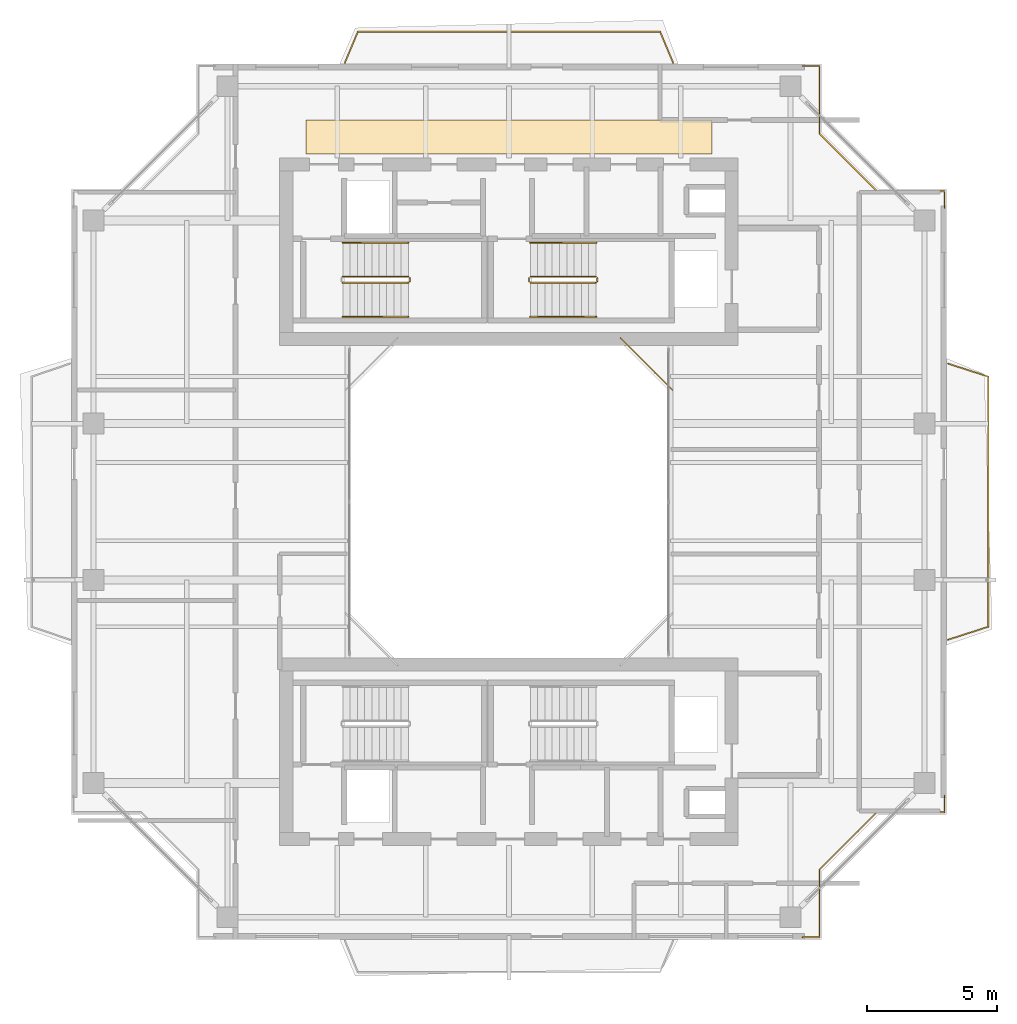
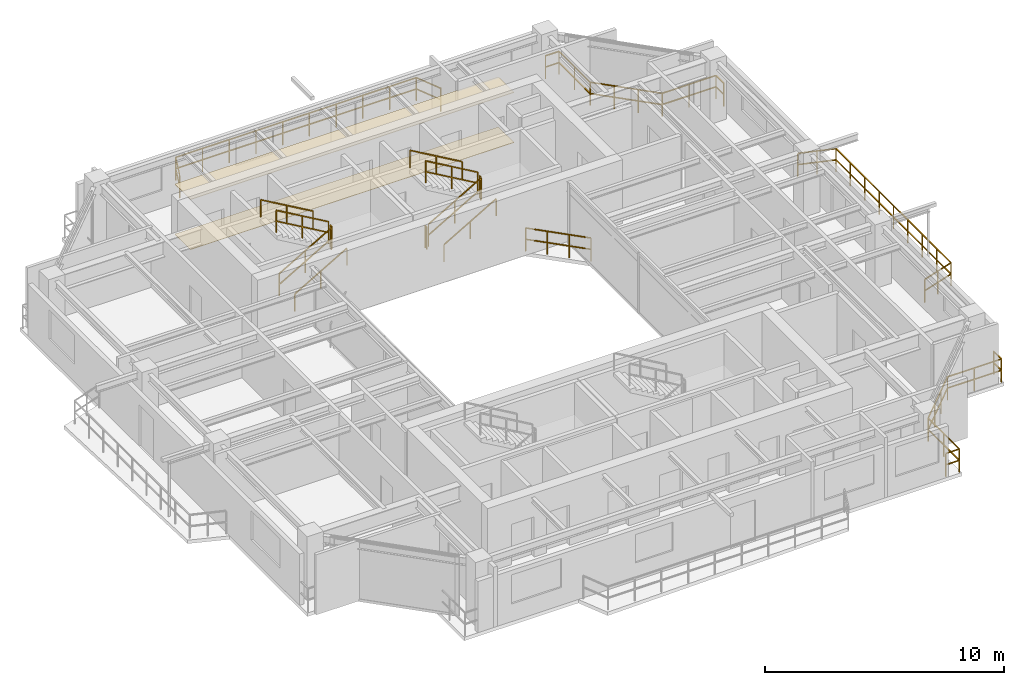
# One storey, part 15 of 15: 16 railings, 2 coverings.
"""IFC4 building model written with IfcOpenShell, lengths in metres."""

from ifc_helpers import new_model, si_unit, direction, frame, origin, origin_2d, place, context, subcontext, project, spatial, polyline, rectangle, outline, extrude, material, layer, layer_set, type_object, element, save


model = new_model("IFC4")

# Units and contexts
model_context = context("Model", 3, precision=1e-05, world=origin(), true_north=direction((0.0, 1.0)))
body_context = subcontext(model_context, "Body", "Model", "MODEL_VIEW")
ifc_project = project(units=[si_unit("LENGTHUNIT", "METRE"), si_unit("AREAUNIT", "SQUARE_METRE"), si_unit("VOLUMEUNIT", "CUBIC_METRE"), si_unit("PLANEANGLEUNIT", "RADIAN"), si_unit("MASSUNIT", "GRAM", prefix="KILO"), si_unit("THERMODYNAMICTEMPERATUREUNIT", "KELVIN"), si_unit("POWERUNIT", "WATT")], contexts=[model_context])

# Site, building, storey
site_placement = place(None, origin())
site = spatial("IfcSite", under=ifc_project, at=site_placement, CompositionType="ELEMENT")
building_placement = place(site_placement, origin())
building = spatial("IfcBuilding", under=site, at=building_placement, Name="Qiaomeng Ring Towers", CompositionType="ELEMENT")
storey_placement = place(building_placement, frame((0.0, 0.0, 219.75)))
storey = spatial("IfcBuildingStorey", under=building, at=storey_placement, Name="L64", CompositionType="ELEMENT", Elevation=219.75)

# Coverings
ifc_material_1 = material(Name="Mineral fibre acoustic ceiling tile", Category="gypsum")
ifc_layer_1 = layer(ifc_material_1, 0.02490234375, Name="Mineral fibre acoustic ceiling tile")
ifc_layer_set_1 = layer_set([ifc_layer_1], Name="Mineral fibre acoustic ceiling tile")
covering_type_1 = type_object("IfcCoveringType", Name="ARC-COV-CEIL1", PredefinedType="CEILING", material=ifc_layer_set_1)
covering_1_placement = place(storey_placement, frame((0.0, 0.0, 2.550048828125)))
element("IfcCovering", 1, at=covering_1_placement, inside=storey, type_object=covering_type_1, Name="L64 Corridor Acoustic Ceiling", PredefinedType="CEILING", context=body_context, shape_type="SweptSolid", body=[
    extrude(outline(polyline([(11.199951171875, 36.35009765625), (11.199951171875, 37.64990234375), (26.800048828125, 37.64990234375), (26.800048828125, 36.35009765625), (11.199951171875, 36.35009765625)])), origin(), (0.0, 0.0, 1.0), 0.02490234375),
])
ifc_material_2 = material(Name="Vitrified porcelain floor tile", Category="ceramic")
ifc_layer_2 = layer(ifc_material_2, 0.02001953125, Name="Vitrified porcelain floor tile")
ifc_layer_set_2 = layer_set([ifc_layer_2], Name="Vitrified porcelain floor tile")
covering_type_2 = type_object("IfcCoveringType", Name="ARC-COV-FLR1", PredefinedType="FLOORING", material=ifc_layer_set_2)
covering_2_placement = place(storey_placement, origin())
element("IfcCovering", 2, at=covering_2_placement, inside=storey, type_object=covering_type_2, Name="L64 Corridor Stone Flooring", PredefinedType="FLOORING", context=body_context, shape_type="SweptSolid", body=[
    extrude(outline(polyline([(11.199951171875, 36.35009765625), (11.199951171875, 37.64990234375), (26.800048828125, 37.64990234375), (26.800048828125, 36.35009765625), (11.199951171875, 36.35009765625)])), origin(), (0.0, 0.0, 1.0), 0.02001953125),
])

# Railings
ifc_material_3 = material(Name="Low-E pale-green laminated safety glass", Category="glass")
railing_type_1 = type_object("IfcRailingType", Name="ARC-RL-BAL1", PredefinedType="BALUSTRADE", material=ifc_material_3)
railing_1_placement = place(storey_placement, frame((25.280029296875, 27.280029296875, 0.0)))
element("IfcRailing", 3, at=railing_1_placement, inside=storey, type_object=railing_type_1, Name="L64 Balustrade ARC-BAL-WELL1-L64-2", PredefinedType="BALUSTRADE", context=body_context, shape_type="SweptSolid", body=[
    extrude(rectangle(XDim=0.048095703125, YDim=0.048095703125, at=origin_2d()), frame((0.0, 0.0, 1.17578125), z_axis=(-0.707106781187, 0.707106781187, 0.0), x_axis=(-0.707106781187, -0.707106781187, 0.0)), (0.0, 0.0, 1.0), 2.828369140625),
    extrude(rectangle(XDim=0.048095703125, YDim=0.048095703125, at=origin_2d()), frame((0.0, 0.0, 0.60009765625), z_axis=(-0.707106781187, 0.707106781187, 0.0), x_axis=(-0.707106781187, -0.707106781187, 0.0)), (0.0, 0.0, 1.0), 2.828369140625),
    extrude(rectangle(XDim=0.0419921875, YDim=0.0419921875, at=origin_2d()), origin(), (0.0, 0.0, 1.0), 1.15185546875),
    extrude(rectangle(XDim=0.0419921875, YDim=0.0419921875, at=origin_2d()), frame((-0.666748046875, 0.666748046875, 0.0)), (0.0, 0.0, 1.0), 1.15185546875),
    extrude(rectangle(XDim=0.0419921875, YDim=0.0419921875, at=origin_2d()), frame((-1.333251953125, 1.333251953125, 0.0)), (0.0, 0.0, 1.0), 1.15185546875),
    extrude(rectangle(XDim=0.0419921875, YDim=0.0419921875, at=origin_2d()), frame((-2.0, 2.0, 0.0)), (0.0, 0.0, 1.0), 1.15185546875),
])
railing_2_placement = place(storey_placement, frame((30.27001953125, 6.280029296875, 0.0)))
element("IfcRailing", 4, at=railing_2_placement, inside=storey, type_object=railing_type_1, Name="L64 Balustrade ARC-BAL-NOTCH1-L64-SE", PredefinedType="BALUSTRADE", context=body_context, shape_type="SweptSolid", body=[
    extrude(rectangle(XDim=0.048095703125, YDim=0.048095703125, at=origin_2d()), frame((0.0, 0.0, 1.17578125), z_axis=(1.0, 0.0, 0.0), x_axis=(0.0, 1.0, 0.0)), (0.0, 0.0, 1.0), 0.64990234375),
    extrude(rectangle(XDim=0.048095703125, YDim=0.048095703125, at=origin_2d()), frame((0.0, 0.0, 0.60009765625), z_axis=(1.0, 0.0, 0.0), x_axis=(0.0, 1.0, 0.0)), (0.0, 0.0, 1.0), 0.64990234375),
    extrude(rectangle(XDim=0.048095703125, YDim=0.048095703125, at=origin_2d()), frame((0.64990234375, 0.0, 1.17578125), z_axis=(0.0, 1.0, 0.0), x_axis=(-1.0, 0.0, 0.0)), (0.0, 0.0, 1.0), 2.599853515625),
    extrude(rectangle(XDim=0.048095703125, YDim=0.048095703125, at=origin_2d()), frame((0.64990234375, 0.0, 0.60009765625), z_axis=(0.0, 1.0, 0.0), x_axis=(-1.0, 0.0, 0.0)), (0.0, 0.0, 1.0), 2.599853515625),
    extrude(rectangle(XDim=0.048095703125, YDim=0.048095703125, at=origin_2d()), frame((0.64990234375, 2.599853515625, 1.17578125), z_axis=(0.707106781187, 0.707106781187, 0.0), x_axis=(-0.707106781187, 0.707106781187, 0.0)), (0.0, 0.0, 1.0), 3.111572265625),
    extrude(rectangle(XDim=0.048095703125, YDim=0.048095703125, at=origin_2d()), frame((0.64990234375, 2.599853515625, 0.60009765625), z_axis=(0.707106781187, 0.707106781187, 0.0), x_axis=(-0.707106781187, 0.707106781187, 0.0)), (0.0, 0.0, 1.0), 3.111572265625),
    extrude(rectangle(XDim=0.048095703125, YDim=0.048095703125, at=origin_2d()), frame((2.85009765625, 4.800048828125, 1.17578125), z_axis=(1.0, 0.0, 0.0), x_axis=(0.0, 1.0, 0.0)), (0.0, 0.0, 1.0), 2.599853515625),
    extrude(rectangle(XDim=0.048095703125, YDim=0.048095703125, at=origin_2d()), frame((2.85009765625, 4.800048828125, 0.60009765625), z_axis=(1.0, 0.0, 0.0), x_axis=(0.0, 1.0, 0.0)), (0.0, 0.0, 1.0), 2.599853515625),
    extrude(rectangle(XDim=0.048095703125, YDim=0.048095703125, at=origin_2d()), frame((5.449951171875, 4.800048828125, 1.17578125), z_axis=(0.0, 1.0, 0.0), x_axis=(-1.0, 0.0, 0.0)), (0.0, 0.0, 1.0), 0.64990234375),
    extrude(rectangle(XDim=0.048095703125, YDim=0.048095703125, at=origin_2d()), frame((5.449951171875, 4.800048828125, 0.60009765625), z_axis=(0.0, 1.0, 0.0), x_axis=(-1.0, 0.0, 0.0)), (0.0, 0.0, 1.0), 0.64990234375),
    extrude(rectangle(XDim=0.0419921875, YDim=0.0419921875, at=origin_2d()), origin(), (0.0, 0.0, 1.0), 1.15185546875),
    extrude(rectangle(XDim=0.0419921875, YDim=0.0419921875, at=origin_2d()), frame((0.64990234375, 0.0, 0.0)), (0.0, 0.0, 1.0), 1.15185546875),
    extrude(rectangle(XDim=0.0419921875, YDim=0.0419921875, at=origin_2d()), frame((0.64990234375, 1.2998046875, 0.0)), (0.0, 0.0, 1.0), 1.15185546875),
    extrude(rectangle(XDim=0.0419921875, YDim=0.0419921875, at=origin_2d()), frame((0.64990234375, 2.599853515625, 0.0)), (0.0, 0.0, 1.0), 1.15185546875),
    extrude(rectangle(XDim=0.0419921875, YDim=0.0419921875, at=origin_2d()), frame((1.38330078125, 3.333251953125, 0.0)), (0.0, 0.0, 1.0), 1.15185546875),
    extrude(rectangle(XDim=0.0419921875, YDim=0.0419921875, at=origin_2d()), frame((2.11669921875, 4.066650390625, 0.0)), (0.0, 0.0, 1.0), 1.15185546875),
    extrude(rectangle(XDim=0.0419921875, YDim=0.0419921875, at=origin_2d()), frame((2.85009765625, 4.800048828125, 0.0)), (0.0, 0.0, 1.0), 1.15185546875),
    extrude(rectangle(XDim=0.0419921875, YDim=0.0419921875, at=origin_2d()), frame((4.14990234375, 4.800048828125, 0.0)), (0.0, 0.0, 1.0), 1.15185546875),
    extrude(rectangle(XDim=0.0419921875, YDim=0.0419921875, at=origin_2d()), frame((5.449951171875, 4.800048828125, 0.0)), (0.0, 0.0, 1.0), 1.15185546875),
    extrude(rectangle(XDim=0.0419921875, YDim=0.0419921875, at=origin_2d()), frame((5.449951171875, 5.449951171875, 0.0)), (0.0, 0.0, 1.0), 1.15185546875),
])
railing_3_placement = place(storey_placement, frame((35.719970703125, 34.27001953125, 0.0)))
element("IfcRailing", 5, at=railing_3_placement, inside=storey, type_object=railing_type_1, Name="L64 Balustrade ARC-BAL-NOTCH1-L64-NE", PredefinedType="BALUSTRADE", context=body_context, shape_type="SweptSolid", body=[
    extrude(rectangle(XDim=0.048095703125, YDim=0.048095703125, at=origin_2d()), frame((0.0, 0.0, 1.17578125), z_axis=(0.0, 1.0, 0.0), x_axis=(-1.0, 0.0, 0.0)), (0.0, 0.0, 1.0), 0.64990234375),
    extrude(rectangle(XDim=0.048095703125, YDim=0.048095703125, at=origin_2d()), frame((0.0, 0.0, 0.60009765625), z_axis=(0.0, 1.0, 0.0), x_axis=(-1.0, 0.0, 0.0)), (0.0, 0.0, 1.0), 0.64990234375),
    extrude(rectangle(XDim=0.048095703125, YDim=0.048095703125, at=origin_2d()), frame((0.0, 0.64990234375, 1.17578125), z_axis=(-1.0, 0.0, 0.0), x_axis=(0.0, -1.0, 0.0)), (0.0, 0.0, 1.0), 2.599853515625),
    extrude(rectangle(XDim=0.048095703125, YDim=0.048095703125, at=origin_2d()), frame((0.0, 0.64990234375, 0.60009765625), z_axis=(-1.0, 0.0, 0.0), x_axis=(0.0, -1.0, 0.0)), (0.0, 0.0, 1.0), 2.599853515625),
    extrude(rectangle(XDim=0.048095703125, YDim=0.048095703125, at=origin_2d()), frame((-2.599853515625, 0.64990234375, 1.17578125), z_axis=(-0.707106781187, 0.707106781187, 0.0), x_axis=(-0.707106781187, -0.707106781187, 0.0)), (0.0, 0.0, 1.0), 3.111572265625),
    extrude(rectangle(XDim=0.048095703125, YDim=0.048095703125, at=origin_2d()), frame((-2.599853515625, 0.64990234375, 0.60009765625), z_axis=(-0.707106781187, 0.707106781187, 0.0), x_axis=(-0.707106781187, -0.707106781187, 0.0)), (0.0, 0.0, 1.0), 3.111572265625),
    extrude(rectangle(XDim=0.048095703125, YDim=0.048095703125, at=origin_2d()), frame((-4.800048828125, 2.85009765625, 1.17578125), z_axis=(0.0, 1.0, 0.0), x_axis=(-1.0, 0.0, 0.0)), (0.0, 0.0, 1.0), 2.599853515625),
    extrude(rectangle(XDim=0.048095703125, YDim=0.048095703125, at=origin_2d()), frame((-4.800048828125, 2.85009765625, 0.60009765625), z_axis=(0.0, 1.0, 0.0), x_axis=(-1.0, 0.0, 0.0)), (0.0, 0.0, 1.0), 2.599853515625),
    extrude(rectangle(XDim=0.048095703125, YDim=0.048095703125, at=origin_2d()), frame((-4.800048828125, 5.449951171875, 1.17578125), z_axis=(-1.0, 0.0, 0.0), x_axis=(0.0, -1.0, 0.0)), (0.0, 0.0, 1.0), 0.64990234375),
    extrude(rectangle(XDim=0.048095703125, YDim=0.048095703125, at=origin_2d()), frame((-4.800048828125, 5.449951171875, 0.60009765625), z_axis=(-1.0, 0.0, 0.0), x_axis=(0.0, -1.0, 0.0)), (0.0, 0.0, 1.0), 0.64990234375),
    extrude(rectangle(XDim=0.0419921875, YDim=0.0419921875, at=origin_2d()), origin(), (0.0, 0.0, 1.0), 1.15185546875),
    extrude(rectangle(XDim=0.0419921875, YDim=0.0419921875, at=origin_2d()), frame((0.0, 0.64990234375, 0.0)), (0.0, 0.0, 1.0), 1.15185546875),
    extrude(rectangle(XDim=0.0419921875, YDim=0.0419921875, at=origin_2d()), frame((-1.2998046875, 0.64990234375, 0.0)), (0.0, 0.0, 1.0), 1.15185546875),
    extrude(rectangle(XDim=0.0419921875, YDim=0.0419921875, at=origin_2d()), frame((-2.599853515625, 0.64990234375, 0.0)), (0.0, 0.0, 1.0), 1.15185546875),
    extrude(rectangle(XDim=0.0419921875, YDim=0.0419921875, at=origin_2d()), frame((-3.333251953125, 1.38330078125, 0.0)), (0.0, 0.0, 1.0), 1.15185546875),
    extrude(rectangle(XDim=0.0419921875, YDim=0.0419921875, at=origin_2d()), frame((-4.066650390625, 2.11669921875, 0.0)), (0.0, 0.0, 1.0), 1.15185546875),
    extrude(rectangle(XDim=0.0419921875, YDim=0.0419921875, at=origin_2d()), frame((-4.800048828125, 2.85009765625, 0.0)), (0.0, 0.0, 1.0), 1.15185546875),
    extrude(rectangle(XDim=0.0419921875, YDim=0.0419921875, at=origin_2d()), frame((-4.800048828125, 4.14990234375, 0.0)), (0.0, 0.0, 1.0), 1.15185546875),
    extrude(rectangle(XDim=0.0419921875, YDim=0.0419921875, at=origin_2d()), frame((-4.800048828125, 5.449951171875, 0.0)), (0.0, 0.0, 1.0), 1.15185546875),
    extrude(rectangle(XDim=0.0419921875, YDim=0.0419921875, at=origin_2d()), frame((-5.449951171875, 5.449951171875, 0.0)), (0.0, 0.0, 1.0), 1.15185546875),
])
railing_4_placement = place(storey_placement, frame((35.85009765625, 17.699951171875, 0.0)))
element("IfcRailing", 6, at=railing_4_placement, inside=storey, type_object=railing_type_1, Name="L64 Balustrade ARC-BAL-L64-T1-E", PredefinedType="BALUSTRADE", context=body_context, shape_type="SweptSolid", body=[
    extrude(rectangle(XDim=0.048095703125, YDim=0.048095703125, at=origin_2d()), frame((0.0, 0.0, 1.17578125), z_axis=(0.951697313001, 0.307037822468, 0.0), x_axis=(-0.307037822468, 0.951697313001, 0.0)), (0.0, 0.0, 1.0), 1.62841796875),
    extrude(rectangle(XDim=0.048095703125, YDim=0.048095703125, at=origin_2d()), frame((0.0, 0.0, 0.60009765625), z_axis=(0.951697313001, 0.307037822468, 0.0), x_axis=(-0.307037822468, 0.951697313001, 0.0)), (0.0, 0.0, 1.0), 1.62841796875),
    extrude(rectangle(XDim=0.048095703125, YDim=0.048095703125, at=origin_2d()), frame((1.5498046875, 0.5, 1.17578125), z_axis=(0.0, 1.0, 0.0), x_axis=(-1.0, 0.0, 0.0)), (0.0, 0.0, 1.0), 9.60009765625),
    extrude(rectangle(XDim=0.048095703125, YDim=0.048095703125, at=origin_2d()), frame((1.5498046875, 0.5, 0.60009765625), z_axis=(0.0, 1.0, 0.0), x_axis=(-1.0, 0.0, 0.0)), (0.0, 0.0, 1.0), 9.60009765625),
    extrude(rectangle(XDim=0.048095703125, YDim=0.048095703125, at=origin_2d()), frame((1.5498046875, 10.10009765625, 1.17578125), z_axis=(-0.951697313001, 0.307037822468, 0.0), x_axis=(-0.307037822468, -0.951697313001, 0.0)), (0.0, 0.0, 1.0), 1.62841796875),
    extrude(rectangle(XDim=0.048095703125, YDim=0.048095703125, at=origin_2d()), frame((1.5498046875, 10.10009765625, 0.60009765625), z_axis=(-0.951697313001, 0.307037822468, 0.0), x_axis=(-0.307037822468, -0.951697313001, 0.0)), (0.0, 0.0, 1.0), 1.62841796875),
    extrude(rectangle(XDim=0.0419921875, YDim=0.0419921875, at=origin_2d()), origin(), (0.0, 0.0, 1.0), 1.15185546875),
    extrude(rectangle(XDim=0.0419921875, YDim=0.0419921875, at=origin_2d()), frame((0.77490234375, 0.25, 0.0)), (0.0, 0.0, 1.0), 1.15185546875),
    extrude(rectangle(XDim=0.0419921875, YDim=0.0419921875, at=origin_2d()), frame((1.5498046875, 0.5, 0.0)), (0.0, 0.0, 1.0), 1.15185546875),
    extrude(rectangle(XDim=0.0419921875, YDim=0.0419921875, at=origin_2d()), frame((1.5498046875, 1.699951171875, 0.0)), (0.0, 0.0, 1.0), 1.15185546875),
    extrude(rectangle(XDim=0.0419921875, YDim=0.0419921875, at=origin_2d()), frame((1.5498046875, 2.89990234375, 0.0)), (0.0, 0.0, 1.0), 1.15185546875),
    extrude(rectangle(XDim=0.0419921875, YDim=0.0419921875, at=origin_2d()), frame((1.5498046875, 4.10009765625, 0.0)), (0.0, 0.0, 1.0), 1.15185546875),
    extrude(rectangle(XDim=0.0419921875, YDim=0.0419921875, at=origin_2d()), frame((1.5498046875, 5.300048828125, 0.0)), (0.0, 0.0, 1.0), 1.15185546875),
    extrude(rectangle(XDim=0.0419921875, YDim=0.0419921875, at=origin_2d()), frame((1.5498046875, 6.5, 0.0)), (0.0, 0.0, 1.0), 1.15185546875),
    extrude(rectangle(XDim=0.0419921875, YDim=0.0419921875, at=origin_2d()), frame((1.5498046875, 7.7001953125, 0.0)), (0.0, 0.0, 1.0), 1.15185546875),
    extrude(rectangle(XDim=0.0419921875, YDim=0.0419921875, at=origin_2d()), frame((1.5498046875, 8.900146484375, 0.0)), (0.0, 0.0, 1.0), 1.15185546875),
    extrude(rectangle(XDim=0.0419921875, YDim=0.0419921875, at=origin_2d()), frame((1.5498046875, 10.10009765625, 0.0)), (0.0, 0.0, 1.0), 1.15185546875),
    extrude(rectangle(XDim=0.0419921875, YDim=0.0419921875, at=origin_2d()), frame((0.77490234375, 10.35009765625, 0.0)), (0.0, 0.0, 1.0), 1.15185546875),
    extrude(rectangle(XDim=0.0419921875, YDim=0.0419921875, at=origin_2d()), frame((0.0, 10.60009765625, 0.0)), (0.0, 0.0, 1.0), 1.15185546875),
])
railing_5_placement = place(storey_placement, frame((12.699951171875, 39.85009765625, 0.0)))
element("IfcRailing", 7, at=railing_5_placement, inside=storey, type_object=railing_type_1, Name="L64 Balustrade ARC-BAL-L64-T1-N", PredefinedType="BALUSTRADE", context=body_context, shape_type="SweptSolid", body=[
    extrude(rectangle(XDim=0.048095703125, YDim=0.048095703125, at=origin_2d()), frame((0.0, 0.0, 1.17578125), z_axis=(0.387380404006, 0.921919965394, 0.0), x_axis=(-0.921919965394, 0.387380404006, 0.0)), (0.0, 0.0, 1.0), 1.290771484375),
    extrude(rectangle(XDim=0.048095703125, YDim=0.048095703125, at=origin_2d()), frame((0.0, 0.0, 0.60009765625), z_axis=(0.387380404006, 0.921919965394, 0.0), x_axis=(-0.921919965394, 0.387380404006, 0.0)), (0.0, 0.0, 1.0), 1.290771484375),
    extrude(rectangle(XDim=0.048095703125, YDim=0.048095703125, at=origin_2d()), frame((0.5, 1.18994140625, 1.17578125), z_axis=(1.0, 0.0, 0.0), x_axis=(0.0, 1.0, 0.0)), (0.0, 0.0, 1.0), 11.60009765625),
    extrude(rectangle(XDim=0.048095703125, YDim=0.048095703125, at=origin_2d()), frame((0.5, 1.18994140625, 0.60009765625), z_axis=(1.0, 0.0, 0.0), x_axis=(0.0, 1.0, 0.0)), (0.0, 0.0, 1.0), 11.60009765625),
    extrude(rectangle(XDim=0.048095703125, YDim=0.048095703125, at=origin_2d()), frame((12.10009765625, 1.18994140625, 1.17578125), z_axis=(0.387380404006, -0.921919965394, 0.0), x_axis=(0.921919965394, 0.387380404006, 0.0)), (0.0, 0.0, 1.0), 1.290771484375),
    extrude(rectangle(XDim=0.048095703125, YDim=0.048095703125, at=origin_2d()), frame((12.10009765625, 1.18994140625, 0.60009765625), z_axis=(0.387380404006, -0.921919965394, 0.0), x_axis=(0.921919965394, 0.387380404006, 0.0)), (0.0, 0.0, 1.0), 1.290771484375),
    extrude(rectangle(XDim=0.0419921875, YDim=0.0419921875, at=origin_2d()), origin(), (0.0, 0.0, 1.0), 1.15185546875),
    extrude(rectangle(XDim=0.0419921875, YDim=0.0419921875, at=origin_2d()), frame((0.5, 1.18994140625, 0.0)), (0.0, 0.0, 1.0), 1.15185546875),
    extrude(rectangle(XDim=0.0419921875, YDim=0.0419921875, at=origin_2d()), frame((1.788818359375, 1.18994140625, 0.0)), (0.0, 0.0, 1.0), 1.15185546875),
    extrude(rectangle(XDim=0.0419921875, YDim=0.0419921875, at=origin_2d()), frame((3.077880859375, 1.18994140625, 0.0)), (0.0, 0.0, 1.0), 1.15185546875),
    extrude(rectangle(XDim=0.0419921875, YDim=0.0419921875, at=origin_2d()), frame((4.36669921875, 1.18994140625, 0.0)), (0.0, 0.0, 1.0), 1.15185546875),
    extrude(rectangle(XDim=0.0419921875, YDim=0.0419921875, at=origin_2d()), frame((5.655517578125, 1.18994140625, 0.0)), (0.0, 0.0, 1.0), 1.15185546875),
    extrude(rectangle(XDim=0.0419921875, YDim=0.0419921875, at=origin_2d()), frame((6.944580078125, 1.18994140625, 0.0)), (0.0, 0.0, 1.0), 1.15185546875),
    extrude(rectangle(XDim=0.0419921875, YDim=0.0419921875, at=origin_2d()), frame((8.2333984375, 1.18994140625, 0.0)), (0.0, 0.0, 1.0), 1.15185546875),
    extrude(rectangle(XDim=0.0419921875, YDim=0.0419921875, at=origin_2d()), frame((9.522216796875, 1.18994140625, 0.0)), (0.0, 0.0, 1.0), 1.15185546875),
    extrude(rectangle(XDim=0.0419921875, YDim=0.0419921875, at=origin_2d()), frame((10.811279296875, 1.18994140625, 0.0)), (0.0, 0.0, 1.0), 1.15185546875),
    extrude(rectangle(XDim=0.0419921875, YDim=0.0419921875, at=origin_2d()), frame((12.10009765625, 1.18994140625, 0.0)), (0.0, 0.0, 1.0), 1.15185546875),
    extrude(rectangle(XDim=0.0419921875, YDim=0.0419921875, at=origin_2d()), frame((12.60009765625, 0.0, 0.0)), (0.0, 0.0, 1.0), 1.15185546875),
])
ifc_material_4 = material(Name="Galvanised steel", Category="steel")
railing_type_2 = type_object("IfcRailingType", Name="ARC-RL-GUARD", PredefinedType="GUARDRAIL", material=ifc_material_4)
railing_6_placement = place(storey_placement, frame((12.6201171875, 31.39990234375, 0.16259765625)))
element("IfcRailing", 8, at=railing_6_placement, inside=storey, type_object=railing_type_2, Name="L64 ST1 stair guard 1", PredefinedType="GUARDRAIL", context=body_context, shape_type="SweptSolid", body=[
    extrude(rectangle(XDim=0.048095703125, YDim=0.048095703125, at=origin_2d()), frame((0.0, 0.0, 1.1259765625), z_axis=(0.864892226395, 0.0, 0.501957604506), x_axis=(0.0, 1.0, 0.0)), (0.0, 0.0, 1.0), 2.913330078125),
    extrude(rectangle(XDim=0.048095703125, YDim=0.048095703125, at=origin_2d()), frame((0.0, 0.0, 0.574951171875), z_axis=(0.864892226395, 0.0, 0.501957604506), x_axis=(0.0, 1.0, 0.0)), (0.0, 0.0, 1.0), 2.913330078125),
    extrude(rectangle(XDim=0.0419921875, YDim=0.0419921875, at=origin_2d()), origin(), (0.0, 0.0, 1.0), 1.101806640625),
    extrude(rectangle(XDim=0.0419921875, YDim=0.0419921875, at=origin_2d()), frame((1.259765625, 0.0, 0.731201171875)), (0.0, 0.0, 1.0), 1.101806640625),
    extrude(rectangle(XDim=0.0419921875, YDim=0.0419921875, at=origin_2d()), frame((2.519775390625, 0.0, 1.46240234375)), (0.0, 0.0, 1.0), 1.101806640625),
])
railing_7_placement = place(storey_placement, frame((15.18994140625, 31.449951171875, 1.625)))
element("IfcRailing", 9, at=railing_7_placement, inside=storey, type_object=railing_type_2, Name="L64 ST1 stair guard 2", PredefinedType="GUARDRAIL", context=body_context, shape_type="SweptSolid", body=[
    extrude(rectangle(XDim=0.048095703125, YDim=0.048095703125, at=origin_2d()), frame((0.0, 0.0, 1.1259765625), z_axis=(0.0, 1.0, 0.0), x_axis=(-1.0, 0.0, 0.0)), (0.0, 0.0, 1.0), 0.14013671875),
    extrude(rectangle(XDim=0.048095703125, YDim=0.048095703125, at=origin_2d()), frame((0.0, 0.0, 0.574951171875), z_axis=(0.0, 1.0, 0.0), x_axis=(-1.0, 0.0, 0.0)), (0.0, 0.0, 1.0), 0.14013671875),
    extrude(rectangle(XDim=0.0419921875, YDim=0.0419921875, at=origin_2d()), origin(), (0.0, 0.0, 1.0), 1.101806640625),
    extrude(rectangle(XDim=0.0419921875, YDim=0.0419921875, at=origin_2d()), frame((0.0, 0.14013671875, 0.0)), (0.0, 0.0, 1.0), 1.101806640625),
])
railing_8_placement = place(storey_placement, frame((15.139892578125, 31.639892578125, 1.78759765625)))
element("IfcRailing", 10, at=railing_8_placement, inside=storey, type_object=railing_type_2, Name="L64 ST1 stair guard 3", PredefinedType="GUARDRAIL", context=body_context, shape_type="SweptSolid", body=[
    extrude(rectangle(XDim=0.048095703125, YDim=0.048095703125, at=origin_2d()), frame((0.0, 0.0, 1.1259765625), z_axis=(-0.864892226395, 0.0, 0.501957604506), x_axis=(0.0, -1.0, 0.0)), (0.0, 0.0, 1.0), 2.913330078125),
    extrude(rectangle(XDim=0.048095703125, YDim=0.048095703125, at=origin_2d()), frame((0.0, 0.0, 0.574951171875), z_axis=(-0.864892226395, 0.0, 0.501957604506), x_axis=(0.0, -1.0, 0.0)), (0.0, 0.0, 1.0), 2.913330078125),
    extrude(rectangle(XDim=0.0419921875, YDim=0.0419921875, at=origin_2d()), origin(), (0.0, 0.0, 1.0), 1.101806640625),
    extrude(rectangle(XDim=0.0419921875, YDim=0.0419921875, at=origin_2d()), frame((-1.259765625, 0.0, 0.731201171875)), (0.0, 0.0, 1.0), 1.101806640625),
    extrude(rectangle(XDim=0.0419921875, YDim=0.0419921875, at=origin_2d()), frame((-2.519775390625, 0.0, 1.46240234375)), (0.0, 0.0, 1.0), 1.101806640625),
])
railing_9_placement = place(storey_placement, frame((19.820068359375, 31.39990234375, 0.16259765625)))
element("IfcRailing", 11, at=railing_9_placement, inside=storey, type_object=railing_type_2, Name="L64 ST2 stair guard 1", PredefinedType="GUARDRAIL", context=body_context, shape_type="SweptSolid", body=[
    extrude(rectangle(XDim=0.048095703125, YDim=0.048095703125, at=origin_2d()), frame((0.0, 0.0, 1.1259765625), z_axis=(0.864913338283, 0.0, 0.50192122615), x_axis=(0.0, 1.0, 0.0)), (0.0, 0.0, 1.0), 2.91357421875),
    extrude(rectangle(XDim=0.048095703125, YDim=0.048095703125, at=origin_2d()), frame((0.0, 0.0, 0.574951171875), z_axis=(0.864913338283, 0.0, 0.50192122615), x_axis=(0.0, 1.0, 0.0)), (0.0, 0.0, 1.0), 2.91357421875),
    extrude(rectangle(XDim=0.0419921875, YDim=0.0419921875, at=origin_2d()), origin(), (0.0, 0.0, 1.0), 1.101806640625),
    extrude(rectangle(XDim=0.0419921875, YDim=0.0419921875, at=origin_2d()), frame((1.260009765625, 0.0, 0.731201171875)), (0.0, 0.0, 1.0), 1.101806640625),
    extrude(rectangle(XDim=0.0419921875, YDim=0.0419921875, at=origin_2d()), frame((2.52001953125, 0.0, 1.46240234375)), (0.0, 0.0, 1.0), 1.101806640625),
])
railing_10_placement = place(storey_placement, frame((22.389892578125, 31.449951171875, 1.625)))
element("IfcRailing", 12, at=railing_10_placement, inside=storey, type_object=railing_type_2, Name="L64 ST2 stair guard 2", PredefinedType="GUARDRAIL", context=body_context, shape_type="SweptSolid", body=[
    extrude(rectangle(XDim=0.048095703125, YDim=0.048095703125, at=origin_2d()), frame((0.0, 0.0, 1.1259765625), z_axis=(0.0, 1.0, 0.0), x_axis=(-1.0, 0.0, 0.0)), (0.0, 0.0, 1.0), 0.14013671875),
    extrude(rectangle(XDim=0.048095703125, YDim=0.048095703125, at=origin_2d()), frame((0.0, 0.0, 0.574951171875), z_axis=(0.0, 1.0, 0.0), x_axis=(-1.0, 0.0, 0.0)), (0.0, 0.0, 1.0), 0.14013671875),
    extrude(rectangle(XDim=0.0419921875, YDim=0.0419921875, at=origin_2d()), origin(), (0.0, 0.0, 1.0), 1.101806640625),
    extrude(rectangle(XDim=0.0419921875, YDim=0.0419921875, at=origin_2d()), frame((0.0, 0.14013671875, 0.0)), (0.0, 0.0, 1.0), 1.101806640625),
])
railing_11_placement = place(storey_placement, frame((22.340087890625, 31.639892578125, 1.78759765625)))
element("IfcRailing", 13, at=railing_11_placement, inside=storey, type_object=railing_type_2, Name="L64 ST2 stair guard 3", PredefinedType="GUARDRAIL", context=body_context, shape_type="SweptSolid", body=[
    extrude(rectangle(XDim=0.048095703125, YDim=0.048095703125, at=origin_2d()), frame((0.0, 0.0, 1.1259765625), z_axis=(-0.864913338283, 0.0, 0.50192122615), x_axis=(0.0, -1.0, 0.0)), (0.0, 0.0, 1.0), 2.91357421875),
    extrude(rectangle(XDim=0.048095703125, YDim=0.048095703125, at=origin_2d()), frame((0.0, 0.0, 0.574951171875), z_axis=(-0.864913338283, 0.0, 0.50192122615), x_axis=(0.0, -1.0, 0.0)), (0.0, 0.0, 1.0), 2.91357421875),
    extrude(rectangle(XDim=0.0419921875, YDim=0.0419921875, at=origin_2d()), origin(), (0.0, 0.0, 1.0), 1.101806640625),
    extrude(rectangle(XDim=0.0419921875, YDim=0.0419921875, at=origin_2d()), frame((-1.260009765625, 0.0, 0.731201171875)), (0.0, 0.0, 1.0), 1.101806640625),
    extrude(rectangle(XDim=0.0419921875, YDim=0.0419921875, at=origin_2d()), frame((-2.52001953125, 0.0, 1.46240234375)), (0.0, 0.0, 1.0), 1.101806640625),
])
railing_12_placement = place(storey_placement, frame((19.77001953125, 31.449951171875, 0.0)))
element("IfcRailing", 14, at=railing_12_placement, inside=storey, type_object=railing_type_2, Name="L64 ST2 stair guard 4", PredefinedType="GUARDRAIL", context=body_context, shape_type="SweptSolid", body=[
    extrude(rectangle(XDim=0.048095703125, YDim=0.048095703125, at=origin_2d()), frame((0.0, 0.0, 1.1259765625), z_axis=(0.0, 1.0, 0.0), x_axis=(-1.0, 0.0, 0.0)), (0.0, 0.0, 1.0), 0.14013671875),
    extrude(rectangle(XDim=0.048095703125, YDim=0.048095703125, at=origin_2d()), frame((0.0, 0.0, 0.574951171875), z_axis=(0.0, 1.0, 0.0), x_axis=(-1.0, 0.0, 0.0)), (0.0, 0.0, 1.0), 0.14013671875),
    extrude(rectangle(XDim=0.0419921875, YDim=0.0419921875, at=origin_2d()), origin(), (0.0, 0.0, 1.0), 1.101806640625),
    extrude(rectangle(XDim=0.0419921875, YDim=0.0419921875, at=origin_2d()), frame((0.0, 0.14013671875, 0.0)), (0.0, 0.0, 1.0), 1.101806640625),
])
ifc_material_5 = material(Name="Stainless steel 316", Category="steel")
railing_type_3 = type_object("IfcRailingType", Name="ARC-RL-HAND", PredefinedType="HANDRAIL", material=ifc_material_5)
railing_13_placement = place(storey_placement, frame((12.6201171875, 30.10009765625, 0.16259765625)))
element("IfcRailing", 15, at=railing_13_placement, inside=storey, type_object=railing_type_3, Name="L64 ST1 stair handrail 1", PredefinedType="HANDRAIL", context=body_context, shape_type="SweptSolid", body=[
    extrude(rectangle(XDim=0.048095703125, YDim=0.048095703125, at=origin_2d()), frame((0.0, 0.0, 0.8759765625), z_axis=(0.864892226395, 0.0, 0.501957604506), x_axis=(0.0, 1.0, 0.0)), (0.0, 0.0, 1.0), 2.913330078125),
    extrude(rectangle(XDim=0.0419921875, YDim=0.0419921875, at=origin_2d()), origin(), (0.0, 0.0, 1.0), 0.851806640625),
    extrude(rectangle(XDim=0.0419921875, YDim=0.0419921875, at=origin_2d()), frame((1.259765625, 0.0, 0.731201171875)), (0.0, 0.0, 1.0), 0.851806640625),
    extrude(rectangle(XDim=0.0419921875, YDim=0.0419921875, at=origin_2d()), frame((2.519775390625, 0.0, 1.46240234375)), (0.0, 0.0, 1.0), 0.851806640625),
])
railing_14_placement = place(storey_placement, frame((15.139892578125, 32.93994140625, 1.78759765625)))
element("IfcRailing", 16, at=railing_14_placement, inside=storey, type_object=railing_type_3, Name="L64 ST1 stair handrail 2", PredefinedType="HANDRAIL", context=body_context, shape_type="SweptSolid", body=[
    extrude(rectangle(XDim=0.048095703125, YDim=0.048095703125, at=origin_2d()), frame((0.0, 0.0, 0.8759765625), z_axis=(-0.864892226395, 0.0, 0.501957604506), x_axis=(0.0, -1.0, 0.0)), (0.0, 0.0, 1.0), 2.913330078125),
    extrude(rectangle(XDim=0.0419921875, YDim=0.0419921875, at=origin_2d()), origin(), (0.0, 0.0, 1.0), 0.851806640625),
    extrude(rectangle(XDim=0.0419921875, YDim=0.0419921875, at=origin_2d()), frame((-1.259765625, 0.0, 0.731201171875)), (0.0, 0.0, 1.0), 0.851806640625),
    extrude(rectangle(XDim=0.0419921875, YDim=0.0419921875, at=origin_2d()), frame((-2.519775390625, 0.0, 1.46240234375)), (0.0, 0.0, 1.0), 0.851806640625),
])
railing_15_placement = place(storey_placement, frame((19.820068359375, 30.10009765625, 0.16259765625)))
element("IfcRailing", 17, at=railing_15_placement, inside=storey, type_object=railing_type_3, Name="L64 ST2 stair handrail 1", PredefinedType="HANDRAIL", context=body_context, shape_type="SweptSolid", body=[
    extrude(rectangle(XDim=0.048095703125, YDim=0.048095703125, at=origin_2d()), frame((0.0, 0.0, 0.8759765625), z_axis=(0.864913338283, 0.0, 0.50192122615), x_axis=(0.0, 1.0, 0.0)), (0.0, 0.0, 1.0), 2.91357421875),
    extrude(rectangle(XDim=0.0419921875, YDim=0.0419921875, at=origin_2d()), origin(), (0.0, 0.0, 1.0), 0.851806640625),
    extrude(rectangle(XDim=0.0419921875, YDim=0.0419921875, at=origin_2d()), frame((1.260009765625, 0.0, 0.731201171875)), (0.0, 0.0, 1.0), 0.851806640625),
    extrude(rectangle(XDim=0.0419921875, YDim=0.0419921875, at=origin_2d()), frame((2.52001953125, 0.0, 1.46240234375)), (0.0, 0.0, 1.0), 0.851806640625),
])
railing_16_placement = place(storey_placement, frame((22.340087890625, 32.93994140625, 1.78759765625)))
element("IfcRailing", 18, at=railing_16_placement, inside=storey, type_object=railing_type_3, Name="L64 ST2 stair handrail 2", PredefinedType="HANDRAIL", context=body_context, shape_type="SweptSolid", body=[
    extrude(rectangle(XDim=0.048095703125, YDim=0.048095703125, at=origin_2d()), frame((0.0, 0.0, 0.8759765625), z_axis=(-0.864913338283, 0.0, 0.50192122615), x_axis=(0.0, -1.0, 0.0)), (0.0, 0.0, 1.0), 2.91357421875),
    extrude(rectangle(XDim=0.0419921875, YDim=0.0419921875, at=origin_2d()), origin(), (0.0, 0.0, 1.0), 0.851806640625),
    extrude(rectangle(XDim=0.0419921875, YDim=0.0419921875, at=origin_2d()), frame((-1.260009765625, 0.0, 0.731201171875)), (0.0, 0.0, 1.0), 0.851806640625),
    extrude(rectangle(XDim=0.0419921875, YDim=0.0419921875, at=origin_2d()), frame((-2.52001953125, 0.0, 1.46240234375)), (0.0, 0.0, 1.0), 0.851806640625),
])

save(model, "model.ifc")
